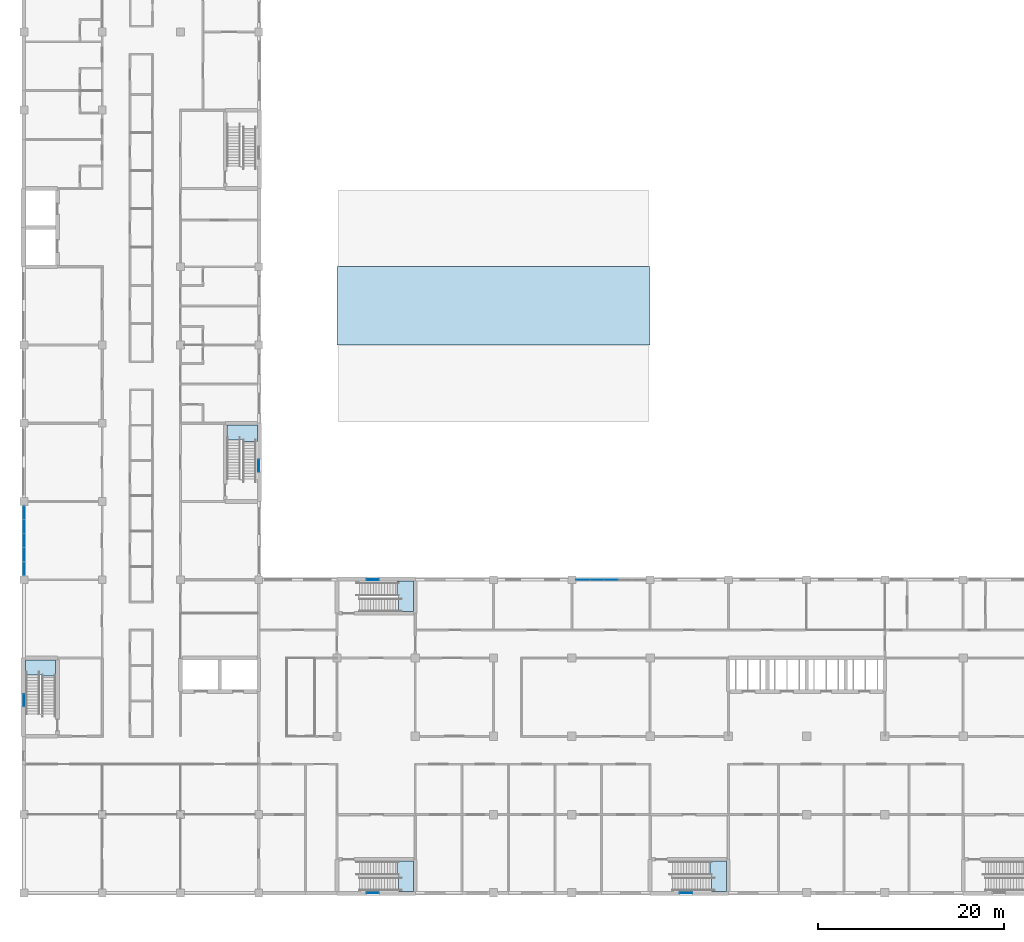
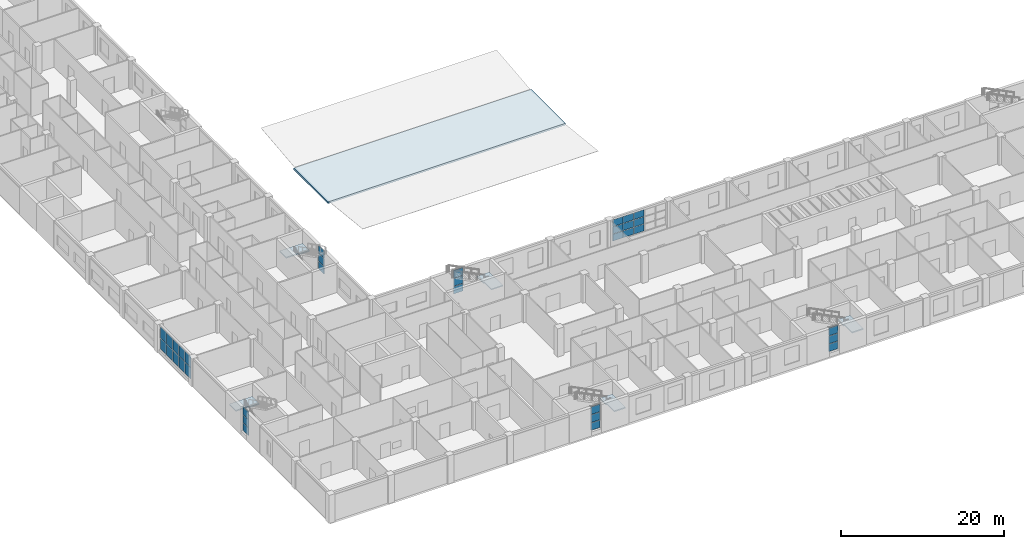
# One storey, part 25 of 66: 34 plates, 6 slabs, 12 elements without a shape of their own.
"""IFC4 building model written with IfcOpenShell, lengths in metres."""

from ifc_helpers import new_model, si_unit, direction, frame, origin, origin_2d, place, context, subcontext, project, spatial, polyline, rectangle, outline, extrude, material, layer, layer_set, type_object, element, aggregate, save


model = new_model("IFC4")

# Units and contexts
model_context = context("Model", 3, precision=1e-05, world=origin(), true_north=direction((0.0, 1.0)))
body_context = subcontext(model_context, "Body", "Model", "MODEL_VIEW")
ifc_project = project(units=[si_unit("LENGTHUNIT", "METRE"), si_unit("AREAUNIT", "SQUARE_METRE"), si_unit("VOLUMEUNIT", "CUBIC_METRE"), si_unit("PLANEANGLEUNIT", "RADIAN"), si_unit("MASSUNIT", "GRAM", prefix="KILO")], contexts=[model_context])

# Site, building, storey
site_placement = place(None, origin())
site = spatial("IfcSite", under=ifc_project, at=site_placement, CompositionType="ELEMENT")
building_placement = place(site_placement, origin())
building = spatial("IfcBuilding", under=site, at=building_placement, Name="Yavir Park General Hospital", CompositionType="ELEMENT")
storey_placement = place(building_placement, frame((0.0, 0.0, 8.39990234375)))
storey = spatial("IfcBuildingStorey", under=building, at=storey_placement, Name="L02", CompositionType="ELEMENT", Elevation=8.39990234375)

# Curtain wall, plates
ifc_material_1 = material(Name="Aluminium curtain wall frame with insulated glazing", Category="aluminium")
curtain_wall_type_1 = type_object("IfcCurtainWallType", Name="Day room pocket glazing, clinical floors, 3300 high, 1400 module", PredefinedType="NOTDEFINED", material=ifc_material_1)
curtain_wall_1_placement = place(storey_placement, origin())
curtain_wall_1 = element("IfcCurtainWall", 1, at=curtain_wall_1_placement, inside=storey, type_object=curtain_wall_type_1, Name="CW58 L02-006", PredefinedType="NOTDEFINED")
ifc_material_2 = material(Name="Solar-control insulated glazed unit 40 mm")
ifc_layer_1 = layer(ifc_material_2, 0.0400390625)
ifc_layer_set_1 = layer_set([ifc_layer_1], Name="Solar-control insulated glazed unit 40 mm")
plate_type_1 = type_object("IfcPlateType", Name="Day room pocket glazing, clinical floors, 3300 high panel 40", PredefinedType="CURTAIN_PANEL", material=ifc_layer_set_1)
plate_1_placement = place(storey_placement, frame((59.9951171875, 33.60009765625, 0.66015625), z_axis=(0.0, 0.0, 1.0), x_axis=(1.0, 0.0, 0.0)))
plate_1 = element("IfcPlate", 2, at=plate_1_placement, type_object=plate_type_1, Name="CW58 panel 1.1", PredefinedType="CURTAIN_PANEL", context=body_context, shape_type="SweptSolid", body=[
    extrude(rectangle(XDim=1.419921875, YDim=0.0400390625, at=origin_2d()), origin(), (0.0, 0.0, 1.0), 1.010009765625),
])
plate_2_placement = place(storey_placement, frame((59.9951171875, 33.60009765625, 1.72998046875), z_axis=(0.0, 0.0, 1.0), x_axis=(1.0, 0.0, 0.0)))
plate_2 = element("IfcPlate", 3, at=plate_2_placement, type_object=plate_type_1, Name="CW58 panel 1.2", PredefinedType="CURTAIN_PANEL", context=body_context, shape_type="SweptSolid", body=[
    extrude(rectangle(XDim=1.419921875, YDim=0.0400390625, at=origin_2d()), origin(), (0.0, 0.0, 1.0), 1.0400390625),
])
plate_3_placement = place(storey_placement, frame((59.9951171875, 33.60009765625, 2.830078125), z_axis=(0.0, 0.0, 1.0), x_axis=(1.0, 0.0, 0.0)))
plate_3 = element("IfcPlate", 4, at=plate_3_placement, type_object=plate_type_1, Name="CW58 panel 1.3", PredefinedType="CURTAIN_PANEL", context=body_context, shape_type="SweptSolid", body=[
    extrude(rectangle(XDim=1.419921875, YDim=0.0400390625, at=origin_2d()), origin(), (0.0, 0.0, 1.0), 1.010009765625),
])
plate_4_placement = place(storey_placement, frame((61.489990234375, 33.60009765625, 0.66015625), z_axis=(0.0, 0.0, 1.0), x_axis=(1.0, 0.0, 0.0)))
plate_4 = element("IfcPlate", 5, at=plate_4_placement, type_object=plate_type_1, Name="CW58 panel 2.1", PredefinedType="CURTAIN_PANEL", context=body_context, shape_type="SweptSolid", body=[
    extrude(rectangle(XDim=1.449951171875, YDim=0.0400390625, at=origin_2d()), origin(), (0.0, 0.0, 1.0), 1.010009765625),
])
plate_5_placement = place(storey_placement, frame((61.489990234375, 33.60009765625, 1.72998046875), z_axis=(0.0, 0.0, 1.0), x_axis=(1.0, 0.0, 0.0)))
plate_5 = element("IfcPlate", 6, at=plate_5_placement, type_object=plate_type_1, Name="CW58 panel 2.2", PredefinedType="CURTAIN_PANEL", context=body_context, shape_type="SweptSolid", body=[
    extrude(rectangle(XDim=1.449951171875, YDim=0.0400390625, at=origin_2d()), origin(), (0.0, 0.0, 1.0), 1.0400390625),
])
plate_6_placement = place(storey_placement, frame((61.489990234375, 33.60009765625, 2.830078125), z_axis=(0.0, 0.0, 1.0), x_axis=(1.0, 0.0, 0.0)))
plate_6 = element("IfcPlate", 7, at=plate_6_placement, type_object=plate_type_1, Name="CW58 panel 2.3", PredefinedType="CURTAIN_PANEL", context=body_context, shape_type="SweptSolid", body=[
    extrude(rectangle(XDim=1.449951171875, YDim=0.0400390625, at=origin_2d()), origin(), (0.0, 0.0, 1.0), 1.010009765625),
])
plate_7_placement = place(storey_placement, frame((63.0, 33.60009765625, 0.66015625), z_axis=(0.0, 0.0, 1.0), x_axis=(1.0, 0.0, 0.0)))
plate_7 = element("IfcPlate", 8, at=plate_7_placement, type_object=plate_type_1, Name="CW58 panel 3.1", PredefinedType="CURTAIN_PANEL", context=body_context, shape_type="SweptSolid", body=[
    extrude(rectangle(XDim=1.449951171875, YDim=0.0400390625, at=origin_2d()), origin(), (0.0, 0.0, 1.0), 1.010009765625),
])
plate_8_placement = place(storey_placement, frame((63.0, 33.60009765625, 1.72998046875), z_axis=(0.0, 0.0, 1.0), x_axis=(1.0, 0.0, 0.0)))
plate_8 = element("IfcPlate", 9, at=plate_8_placement, type_object=plate_type_1, Name="CW58 panel 3.2", PredefinedType="CURTAIN_PANEL", context=body_context, shape_type="SweptSolid", body=[
    extrude(rectangle(XDim=1.449951171875, YDim=0.0400390625, at=origin_2d()), origin(), (0.0, 0.0, 1.0), 1.0400390625),
])
plate_9_placement = place(storey_placement, frame((63.0, 33.60009765625, 2.830078125), z_axis=(0.0, 0.0, 1.0), x_axis=(1.0, 0.0, 0.0)))
plate_9 = element("IfcPlate", 10, at=plate_9_placement, type_object=plate_type_1, Name="CW58 panel 3.3", PredefinedType="CURTAIN_PANEL", context=body_context, shape_type="SweptSolid", body=[
    extrude(rectangle(XDim=1.449951171875, YDim=0.0400390625, at=origin_2d()), origin(), (0.0, 0.0, 1.0), 1.010009765625),
])
aggregate(curtain_wall_1, [plate_1, plate_2, plate_3, plate_4, plate_5, plate_6, plate_7, plate_8, plate_9])

# Stair, slab
ifc_material_3 = material(Name="Concrete C30/37", Category="concrete")
stair_type = type_object("IfcStairType", Name="Patient escape stair, 30 risers of 150 mm, 1400 mm flights", PredefinedType="HALF_TURN_STAIR", material=ifc_material_3)
stair_1_placement = place(storey_placement, origin())
stair_1 = element("IfcStair", 11, at=stair_1_placement, inside=storey, type_object=stair_type, Name="Stair SU1, L02 to I02", PredefinedType="HALF_TURN_STAIR")
ifc_material_4 = material(Name="Concrete C30/37", Category="concrete")
ifc_layer_2 = layer(ifc_material_4, 0.159912109375)
ifc_layer_set_2 = layer_set([ifc_layer_2], Name="Concrete C30/37")
slab_type_1 = type_object("IfcSlabType", Name="Patient escape stair half landing, reinforced concrete 160 mm", PredefinedType="LANDING", material=ifc_layer_set_2)
slab_1_placement = place(storey_placement, frame((0.0, 0.0, 2.090087890625)))
slab_1 = element("IfcSlab", 12, at=slab_1_placement, type_object=slab_type_1, Name="SU1 landing 1", PredefinedType="LANDING", context=body_context, shape_type="SweptSolid", body=[
    extrude(outline(polyline([(0.14990234375, 23.3984375), (0.14990234375, 25.0), (3.39990234375, 25.0), (3.39990234375, 23.25), (1.949951171875, 23.25), (1.949951171875, 23.3984375), (0.14990234375, 23.3984375)])), origin(), (0.0, 0.0, 1.0), 0.159912109375),
])
aggregate(stair_1, [slab_1])

stair_2_placement = place(storey_placement, origin())
stair_2 = element("IfcStair", 13, at=stair_2_placement, inside=storey, type_object=stair_type, Name="Stair SU2, L02 to I02", PredefinedType="HALF_TURN_STAIR")
slab_2_placement = place(storey_placement, frame((0.0, 0.0, 2.090087890625)))
slab_2 = element("IfcSlab", 14, at=slab_2_placement, type_object=slab_type_1, Name="SU2 landing 1", PredefinedType="LANDING", context=body_context, shape_type="SweptSolid", body=[
    extrude(outline(polyline([(40.198486328125, 0.14990234375), (41.800048828125, 0.14990234375), (41.800048828125, 3.39990234375), (40.050048828125, 3.39990234375), (40.050048828125, 1.949951171875), (40.198486328125, 1.949951171875), (40.198486328125, 0.14990234375)])), origin(), (0.0, 0.0, 1.0), 0.159912109375),
])
aggregate(stair_2, [slab_2])

stair_3_placement = place(storey_placement, origin())
stair_3 = element("IfcStair", 15, at=stair_3_placement, inside=storey, type_object=stair_type, Name="Stair SU3, L02 to I02", PredefinedType="HALF_TURN_STAIR")
slab_3_placement = place(storey_placement, frame((0.0, 0.0, 2.090087890625)))
slab_3 = element("IfcSlab", 16, at=slab_3_placement, type_object=slab_type_1, Name="SU3 landing 1", PredefinedType="LANDING", context=body_context, shape_type="SweptSolid", body=[
    extrude(outline(polyline([(73.798583984375, 0.14990234375), (75.39990234375, 0.14990234375), (75.39990234375, 3.39990234375), (73.64990234375, 3.39990234375), (73.64990234375, 1.949951171875), (73.798583984375, 1.949951171875), (73.798583984375, 0.14990234375)])), origin(), (0.0, 0.0, 1.0), 0.159912109375),
])
aggregate(stair_3, [slab_3])

stair_4_placement = place(storey_placement, origin())
stair_4 = element("IfcStair", 17, at=stair_4_placement, inside=storey, type_object=stair_type, Name="Stair PN1, L02 to I02", PredefinedType="HALF_TURN_STAIR")
slab_4_placement = place(storey_placement, frame((0.0, 0.0, 2.090087890625)))
slab_4 = element("IfcSlab", 18, at=slab_4_placement, type_object=slab_type_1, Name="PN1 landing 1", PredefinedType="LANDING", context=body_context, shape_type="SweptSolid", body=[
    extrude(outline(polyline([(40.198486328125, 30.199951171875), (41.800048828125, 30.199951171875), (41.800048828125, 33.449951171875), (40.050048828125, 33.449951171875), (40.050048828125, 31.89990234375), (40.198486328125, 31.89990234375), (40.198486328125, 30.199951171875)])), origin(), (0.0, 0.0, 1.0), 0.159912109375),
])
aggregate(stair_4, [slab_4])

stair_5_placement = place(storey_placement, origin())
stair_5 = element("IfcStair", 19, at=stair_5_placement, inside=storey, type_object=stair_type, Name="Stair SW1, L02 to I02", PredefinedType="HALF_TURN_STAIR")
slab_5_placement = place(storey_placement, frame((0.0, 0.0, 2.090087890625)))
slab_5 = element("IfcSlab", 20, at=slab_5_placement, type_object=slab_type_1, Name="SW1 landing 1", PredefinedType="LANDING", context=body_context, shape_type="SweptSolid", body=[
    extrude(outline(polyline([(21.800048828125, 48.598388671875), (21.800048828125, 50.199951171875), (25.050048828125, 50.199951171875), (25.050048828125, 48.449951171875), (23.5, 48.449951171875), (23.5, 48.598388671875), (21.800048828125, 48.598388671875)])), origin(), (0.0, 0.0, 1.0), 0.159912109375),
])
aggregate(stair_5, [slab_5])

# Slab
ifc_material_5 = material(Name="Concrete C35/45", Category="concrete")
ifc_layer_3 = layer(ifc_material_5, 0.25)
ifc_layer_set_3 = layer_set([ifc_layer_3], Name="Concrete C35/45")
slab_type_2 = type_object("IfcSlabType", Name="RC SLAB ROOF 250", PredefinedType="ROOF", material=ifc_layer_set_3)
slab_6_placement = place(storey_placement, frame((33.60009765625, 58.800048828125, 0.2001953125), z_axis=(0.0, 0.0, 1.0), x_axis=(1.0, 0.0, 0.0)))
element("IfcSlab", 21, at=slab_6_placement, inside=storey, type_object=slab_type_2, Name="RF:CLIN:G1", PredefinedType="ROOF", context=body_context, shape_type="SweptSolid", body=[
    extrude(outline(polyline([(0.0, 0.0), (33.599853515625, 0.0), (33.599853515625, 8.39990234375), (0.0, 8.39990234375), (0.0, 0.0)])), origin(), (0.0, 0.0, -1.0), 0.25),
])

# Curtain wall, plates
ifc_material_6 = material(Name="Aluminium curtain wall frame with insulated glazing", Category="aluminium")
curtain_wall_type_2 = type_object("IfcCurtainWallType", Name="Stair light slot, podium, 3600 high, 1400 module", PredefinedType="NOTDEFINED", material=ifc_material_6)
curtain_wall_2_placement = place(storey_placement, origin())
curtain_wall_2 = element("IfcCurtainWall", 22, at=curtain_wall_2_placement, inside=storey, type_object=curtain_wall_type_2, Name="CW57 L02-001", PredefinedType="NOTDEFINED")
ifc_material_7 = material(Name="Fire-resisting glazed unit 70 mm")
ifc_layer_4 = layer(ifc_material_7, 0.070068359375)
ifc_layer_set_4 = layer_set([ifc_layer_4], Name="Fire-resisting glazed unit 70 mm")
plate_type_2 = type_object("IfcPlateType", Name="Stair light slot, podium, 3600 high panel 70", PredefinedType="CURTAIN_PANEL", material=ifc_layer_set_4)
plate_10_placement = place(storey_placement, frame((37.449951171875, 0.0, 0.650146484375), z_axis=(0.0, 0.0, 1.0), x_axis=(1.0, 0.0, 0.0)))
plate_10 = element("IfcPlate", 23, at=plate_10_placement, type_object=plate_type_2, Name="CW57 panel 1.1", PredefinedType="CURTAIN_PANEL", context=body_context, shape_type="SweptSolid", body=[
    extrude(rectangle(XDim=1.300048828125, YDim=0.070068359375, at=origin_2d()), origin(), (0.0, 0.0, 1.0), 1.125),
])
plate_11_placement = place(storey_placement, frame((37.449951171875, 0.0, 1.8251953125), z_axis=(0.0, 0.0, 1.0), x_axis=(1.0, 0.0, 0.0)))
plate_11 = element("IfcPlate", 24, at=plate_11_placement, type_object=plate_type_2, Name="CW57 panel 1.2", PredefinedType="CURTAIN_PANEL", context=body_context, shape_type="SweptSolid", body=[
    extrude(rectangle(XDim=1.300048828125, YDim=0.070068359375, at=origin_2d()), origin(), (0.0, 0.0, 1.0), 1.14990234375),
])
plate_12_placement = place(storey_placement, frame((37.449951171875, 0.0, 3.025146484375), z_axis=(0.0, 0.0, 1.0), x_axis=(1.0, 0.0, 0.0)))
plate_12 = element("IfcPlate", 25, at=plate_12_placement, type_object=plate_type_2, Name="CW57 panel 1.3", PredefinedType="CURTAIN_PANEL", context=body_context, shape_type="SweptSolid", body=[
    extrude(rectangle(XDim=1.300048828125, YDim=0.070068359375, at=origin_2d()), origin(), (0.0, 0.0, 1.0), 1.125),
])
aggregate(curtain_wall_2, [plate_10, plate_11, plate_12])

curtain_wall_3_placement = place(storey_placement, origin())
curtain_wall_3 = element("IfcCurtainWall", 26, at=curtain_wall_3_placement, inside=storey, type_object=curtain_wall_type_2, Name="CW57 L02-002", PredefinedType="NOTDEFINED")
plate_13_placement = place(storey_placement, frame((71.050048828125, 0.0, 0.650146484375), z_axis=(0.0, 0.0, 1.0), x_axis=(1.0, 0.0, 0.0)))
plate_13 = element("IfcPlate", 27, at=plate_13_placement, type_object=plate_type_2, Name="CW57 panel 1.1", PredefinedType="CURTAIN_PANEL", context=body_context, shape_type="SweptSolid", body=[
    extrude(rectangle(XDim=1.300048828125, YDim=0.070068359375, at=origin_2d()), origin(), (0.0, 0.0, 1.0), 1.125),
])
plate_14_placement = place(storey_placement, frame((71.050048828125, 0.0, 1.8251953125), z_axis=(0.0, 0.0, 1.0), x_axis=(1.0, 0.0, 0.0)))
plate_14 = element("IfcPlate", 28, at=plate_14_placement, type_object=plate_type_2, Name="CW57 panel 1.2", PredefinedType="CURTAIN_PANEL", context=body_context, shape_type="SweptSolid", body=[
    extrude(rectangle(XDim=1.300048828125, YDim=0.070068359375, at=origin_2d()), origin(), (0.0, 0.0, 1.0), 1.14990234375),
])
plate_15_placement = place(storey_placement, frame((71.050048828125, 0.0, 3.025146484375), z_axis=(0.0, 0.0, 1.0), x_axis=(1.0, 0.0, 0.0)))
plate_15 = element("IfcPlate", 29, at=plate_15_placement, type_object=plate_type_2, Name="CW57 panel 1.3", PredefinedType="CURTAIN_PANEL", context=body_context, shape_type="SweptSolid", body=[
    extrude(rectangle(XDim=1.300048828125, YDim=0.070068359375, at=origin_2d()), origin(), (0.0, 0.0, 1.0), 1.125),
])
aggregate(curtain_wall_3, [plate_13, plate_14, plate_15])

curtain_wall_4_placement = place(storey_placement, origin())
curtain_wall_4 = element("IfcCurtainWall", 30, at=curtain_wall_4_placement, inside=storey, type_object=curtain_wall_type_2, Name="CW57 L02-005", PredefinedType="NOTDEFINED")
plate_16_placement = place(storey_placement, frame((37.449951171875, 33.60009765625, 0.650146484375), z_axis=(0.0, 0.0, 1.0), x_axis=(1.0, 0.0, 0.0)))
plate_16 = element("IfcPlate", 31, at=plate_16_placement, type_object=plate_type_2, Name="CW57 panel 1.1", PredefinedType="CURTAIN_PANEL", context=body_context, shape_type="SweptSolid", body=[
    extrude(rectangle(XDim=1.300048828125, YDim=0.070068359375, at=origin_2d()), origin(), (0.0, 0.0, 1.0), 1.125),
])
plate_17_placement = place(storey_placement, frame((37.449951171875, 33.60009765625, 1.8251953125), z_axis=(0.0, 0.0, 1.0), x_axis=(1.0, 0.0, 0.0)))
plate_17 = element("IfcPlate", 32, at=plate_17_placement, type_object=plate_type_2, Name="CW57 panel 1.2", PredefinedType="CURTAIN_PANEL", context=body_context, shape_type="SweptSolid", body=[
    extrude(rectangle(XDim=1.300048828125, YDim=0.070068359375, at=origin_2d()), origin(), (0.0, 0.0, 1.0), 1.14990234375),
])
plate_18_placement = place(storey_placement, frame((37.449951171875, 33.60009765625, 3.025146484375), z_axis=(0.0, 0.0, 1.0), x_axis=(1.0, 0.0, 0.0)))
plate_18 = element("IfcPlate", 33, at=plate_18_placement, type_object=plate_type_2, Name="CW57 panel 1.3", PredefinedType="CURTAIN_PANEL", context=body_context, shape_type="SweptSolid", body=[
    extrude(rectangle(XDim=1.300048828125, YDim=0.070068359375, at=origin_2d()), origin(), (0.0, 0.0, 1.0), 1.125),
])
aggregate(curtain_wall_4, [plate_16, plate_17, plate_18])

curtain_wall_5_placement = place(storey_placement, origin())
curtain_wall_5 = element("IfcCurtainWall", 34, at=curtain_wall_5_placement, inside=storey, type_object=curtain_wall_type_2, Name="CW57 L02-020", PredefinedType="NOTDEFINED")
plate_19_placement = place(storey_placement, frame((0.0, 20.64990234375, 0.650146484375), z_axis=(0.0, 0.0, 1.0), x_axis=(0.0, 1.0, 0.0)))
plate_19 = element("IfcPlate", 35, at=plate_19_placement, type_object=plate_type_2, Name="CW57 panel 1.1", PredefinedType="CURTAIN_PANEL", context=body_context, shape_type="SweptSolid", body=[
    extrude(rectangle(XDim=1.300048828125, YDim=0.070068359375, at=origin_2d()), origin(), (0.0, 0.0, 1.0), 1.125),
])
plate_20_placement = place(storey_placement, frame((0.0, 20.64990234375, 1.8251953125), z_axis=(0.0, 0.0, 1.0), x_axis=(0.0, 1.0, 0.0)))
plate_20 = element("IfcPlate", 36, at=plate_20_placement, type_object=plate_type_2, Name="CW57 panel 1.2", PredefinedType="CURTAIN_PANEL", context=body_context, shape_type="SweptSolid", body=[
    extrude(rectangle(XDim=1.300048828125, YDim=0.070068359375, at=origin_2d()), origin(), (0.0, 0.0, 1.0), 1.14990234375),
])
plate_21_placement = place(storey_placement, frame((0.0, 20.64990234375, 3.025146484375), z_axis=(0.0, 0.0, 1.0), x_axis=(0.0, 1.0, 0.0)))
plate_21 = element("IfcPlate", 37, at=plate_21_placement, type_object=plate_type_2, Name="CW57 panel 1.3", PredefinedType="CURTAIN_PANEL", context=body_context, shape_type="SweptSolid", body=[
    extrude(rectangle(XDim=1.300048828125, YDim=0.070068359375, at=origin_2d()), origin(), (0.0, 0.0, 1.0), 1.125),
])
aggregate(curtain_wall_5, [plate_19, plate_20, plate_21])

curtain_wall_6_placement = place(storey_placement, origin())
curtain_wall_6 = element("IfcCurtainWall", 38, at=curtain_wall_6_placement, inside=storey, type_object=curtain_wall_type_2, Name="CW57 L02-022", PredefinedType="NOTDEFINED")
plate_22_placement = place(storey_placement, frame((25.199951171875, 45.85009765625, 0.650146484375), z_axis=(0.0, 0.0, 1.0), x_axis=(0.0, 1.0, 0.0)))
plate_22 = element("IfcPlate", 39, at=plate_22_placement, type_object=plate_type_2, Name="CW57 panel 1.1", PredefinedType="CURTAIN_PANEL", context=body_context, shape_type="SweptSolid", body=[
    extrude(rectangle(XDim=1.300048828125, YDim=0.070068359375, at=origin_2d()), origin(), (0.0, 0.0, 1.0), 1.125),
])
plate_23_placement = place(storey_placement, frame((25.199951171875, 45.85009765625, 1.8251953125), z_axis=(0.0, 0.0, 1.0), x_axis=(0.0, 1.0, 0.0)))
plate_23 = element("IfcPlate", 40, at=plate_23_placement, type_object=plate_type_2, Name="CW57 panel 1.2", PredefinedType="CURTAIN_PANEL", context=body_context, shape_type="SweptSolid", body=[
    extrude(rectangle(XDim=1.300048828125, YDim=0.070068359375, at=origin_2d()), origin(), (0.0, 0.0, 1.0), 1.14990234375),
])
plate_24_placement = place(storey_placement, frame((25.199951171875, 45.85009765625, 3.025146484375), z_axis=(0.0, 0.0, 1.0), x_axis=(0.0, 1.0, 0.0)))
plate_24 = element("IfcPlate", 41, at=plate_24_placement, type_object=plate_type_2, Name="CW57 panel 1.3", PredefinedType="CURTAIN_PANEL", context=body_context, shape_type="SweptSolid", body=[
    extrude(rectangle(XDim=1.300048828125, YDim=0.070068359375, at=origin_2d()), origin(), (0.0, 0.0, 1.0), 1.125),
])
aggregate(curtain_wall_6, [plate_22, plate_23, plate_24])

ifc_material_8 = material(Name="Aluminium curtain wall frame with insulated glazing", Category="aluminium")
curtain_wall_type_3 = type_object("IfcCurtainWallType", Name="Waiting area glazing, 3450 high, 1400 module", PredefinedType="NOTDEFINED", material=ifc_material_8)
curtain_wall_7_placement = place(storey_placement, origin())
curtain_wall_7 = element("IfcCurtainWall", 42, at=curtain_wall_7_placement, inside=storey, type_object=curtain_wall_type_3, Name="CW60 L02-021", PredefinedType="NOTDEFINED")
ifc_material_9 = material(Name="Solar-control insulated glazed unit 40 mm")
ifc_layer_5 = layer(ifc_material_9, 0.0400390625)
ifc_layer_set_5 = layer_set([ifc_layer_5], Name="Solar-control insulated glazed unit 40 mm")
plate_type_3 = type_object("IfcPlateType", Name="Waiting area glazing, 3450 high panel 40", PredefinedType="CURTAIN_PANEL", material=ifc_layer_set_5)
plate_25_placement = place(storey_placement, frame((0.0, 34.794921875, 0.51025390625), z_axis=(0.0, 0.0, 1.0), x_axis=(0.0, 1.0, 0.0)))
plate_25 = element("IfcPlate", 43, at=plate_25_placement, type_object=plate_type_3, Name="CW60 panel 1.1", PredefinedType="CURTAIN_PANEL", context=body_context, shape_type="SweptSolid", body=[
    extrude(rectangle(XDim=1.419921875, YDim=0.0400390625, at=origin_2d()), origin(), (0.0, 0.0, 1.0), 1.635009765625),
])
plate_26_placement = place(storey_placement, frame((0.0, 34.794921875, 2.205078125), z_axis=(0.0, 0.0, 1.0), x_axis=(0.0, 1.0, 0.0)))
plate_26 = element("IfcPlate", 44, at=plate_26_placement, type_object=plate_type_3, Name="CW60 panel 1.2", PredefinedType="CURTAIN_PANEL", context=body_context, shape_type="SweptSolid", body=[
    extrude(rectangle(XDim=1.419921875, YDim=0.0400390625, at=origin_2d()), origin(), (0.0, 0.0, 1.0), 1.635009765625),
])
plate_27_placement = place(storey_placement, frame((0.0, 36.2900390625, 0.51025390625), z_axis=(0.0, 0.0, 1.0), x_axis=(0.0, 1.0, 0.0)))
plate_27 = element("IfcPlate", 45, at=plate_27_placement, type_object=plate_type_3, Name="CW60 panel 2.1", PredefinedType="CURTAIN_PANEL", context=body_context, shape_type="SweptSolid", body=[
    extrude(rectangle(XDim=1.449951171875, YDim=0.0400390625, at=origin_2d()), origin(), (0.0, 0.0, 1.0), 1.635009765625),
])
plate_28_placement = place(storey_placement, frame((0.0, 36.2900390625, 2.205078125), z_axis=(0.0, 0.0, 1.0), x_axis=(0.0, 1.0, 0.0)))
plate_28 = element("IfcPlate", 46, at=plate_28_placement, type_object=plate_type_3, Name="CW60 panel 2.2", PredefinedType="CURTAIN_PANEL", context=body_context, shape_type="SweptSolid", body=[
    extrude(rectangle(XDim=1.449951171875, YDim=0.0400390625, at=origin_2d()), origin(), (0.0, 0.0, 1.0), 1.635009765625),
])
plate_29_placement = place(storey_placement, frame((0.0, 37.800048828125, 0.51025390625), z_axis=(0.0, 0.0, 1.0), x_axis=(0.0, 1.0, 0.0)))
plate_29 = element("IfcPlate", 47, at=plate_29_placement, type_object=plate_type_3, Name="CW60 panel 3.1", PredefinedType="CURTAIN_PANEL", context=body_context, shape_type="SweptSolid", body=[
    extrude(rectangle(XDim=1.449951171875, YDim=0.0400390625, at=origin_2d()), origin(), (0.0, 0.0, 1.0), 1.635009765625),
])
plate_30_placement = place(storey_placement, frame((0.0, 37.800048828125, 2.205078125), z_axis=(0.0, 0.0, 1.0), x_axis=(0.0, 1.0, 0.0)))
plate_30 = element("IfcPlate", 48, at=plate_30_placement, type_object=plate_type_3, Name="CW60 panel 3.2", PredefinedType="CURTAIN_PANEL", context=body_context, shape_type="SweptSolid", body=[
    extrude(rectangle(XDim=1.449951171875, YDim=0.0400390625, at=origin_2d()), origin(), (0.0, 0.0, 1.0), 1.635009765625),
])
plate_31_placement = place(storey_placement, frame((0.0, 39.31005859375, 0.51025390625), z_axis=(0.0, 0.0, 1.0), x_axis=(0.0, 1.0, 0.0)))
plate_31 = element("IfcPlate", 49, at=plate_31_placement, type_object=plate_type_3, Name="CW60 panel 4.1", PredefinedType="CURTAIN_PANEL", context=body_context, shape_type="SweptSolid", body=[
    extrude(rectangle(XDim=1.449951171875, YDim=0.0400390625, at=origin_2d()), origin(), (0.0, 0.0, 1.0), 1.635009765625),
])
plate_32_placement = place(storey_placement, frame((0.0, 39.31005859375, 2.205078125), z_axis=(0.0, 0.0, 1.0), x_axis=(0.0, 1.0, 0.0)))
plate_32 = element("IfcPlate", 50, at=plate_32_placement, type_object=plate_type_3, Name="CW60 panel 4.2", PredefinedType="CURTAIN_PANEL", context=body_context, shape_type="SweptSolid", body=[
    extrude(rectangle(XDim=1.449951171875, YDim=0.0400390625, at=origin_2d()), origin(), (0.0, 0.0, 1.0), 1.635009765625),
])
plate_33_placement = place(storey_placement, frame((0.0, 40.804931640625, 0.51025390625), z_axis=(0.0, 0.0, 1.0), x_axis=(0.0, 1.0, 0.0)))
plate_33 = element("IfcPlate", 51, at=plate_33_placement, type_object=plate_type_3, Name="CW60 panel 5.1", PredefinedType="CURTAIN_PANEL", context=body_context, shape_type="SweptSolid", body=[
    extrude(rectangle(XDim=1.419921875, YDim=0.0400390625, at=origin_2d()), origin(), (0.0, 0.0, 1.0), 1.635009765625),
])
plate_34_placement = place(storey_placement, frame((0.0, 40.804931640625, 2.205078125), z_axis=(0.0, 0.0, 1.0), x_axis=(0.0, 1.0, 0.0)))
plate_34 = element("IfcPlate", 52, at=plate_34_placement, type_object=plate_type_3, Name="CW60 panel 5.2", PredefinedType="CURTAIN_PANEL", context=body_context, shape_type="SweptSolid", body=[
    extrude(rectangle(XDim=1.419921875, YDim=0.0400390625, at=origin_2d()), origin(), (0.0, 0.0, 1.0), 1.635009765625),
])
aggregate(curtain_wall_7, [plate_25, plate_26, plate_27, plate_28, plate_29, plate_30, plate_31, plate_32, plate_33, plate_34])

save(model, "model.ifc")
